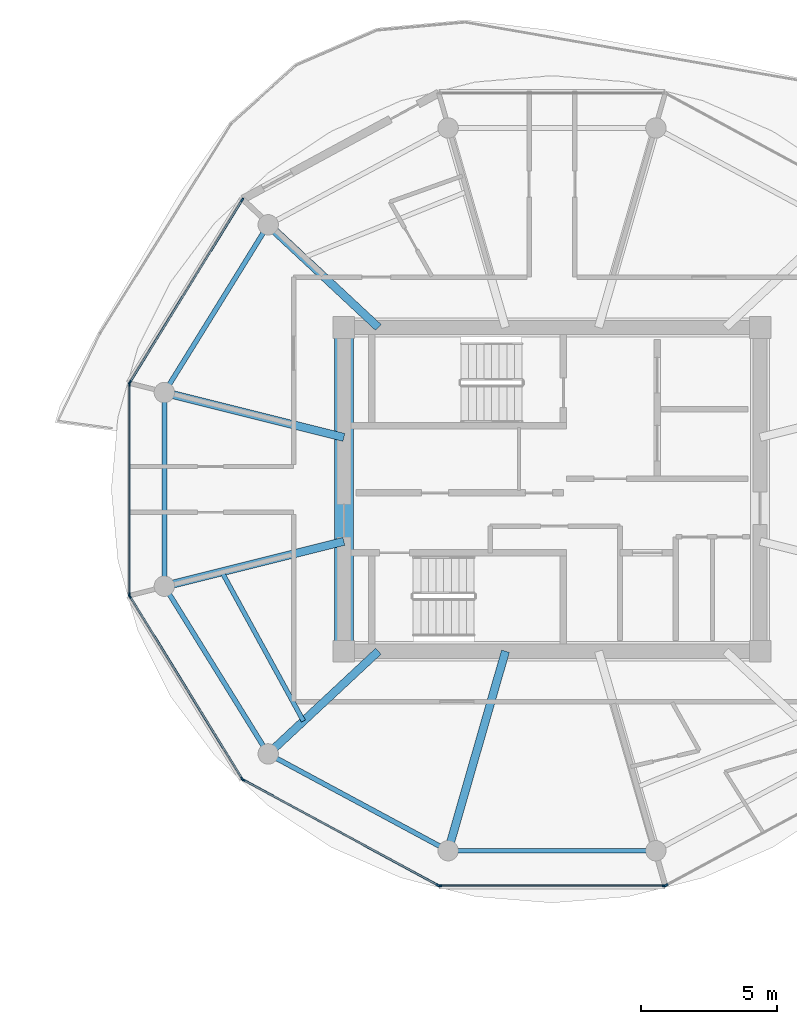
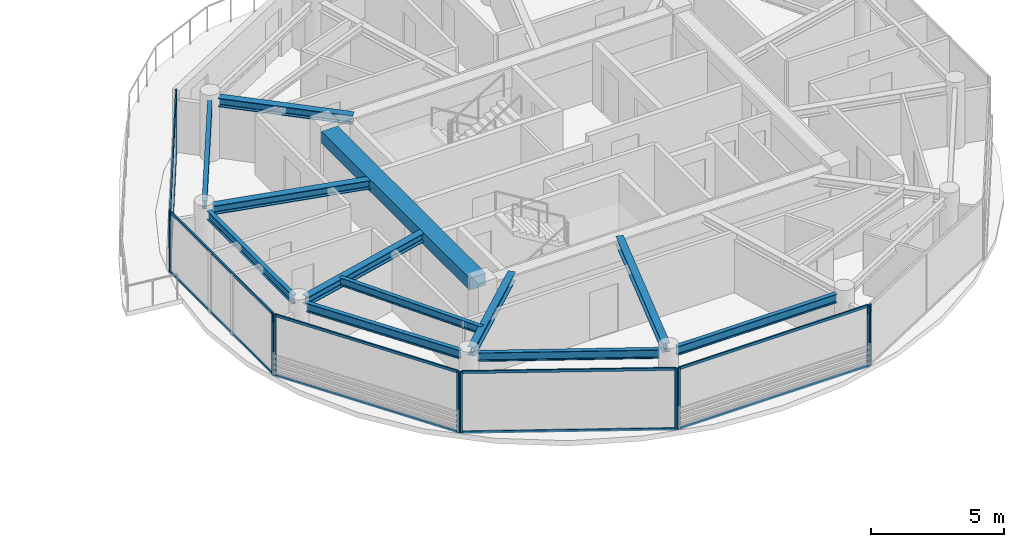
# One storey, part 5 of 19: 21 members, 12 beams, 6 elements without a shape of their own.
"""IFC4 building model written with IfcOpenShell, lengths in metres."""

from ifc_helpers import new_model, si_unit, direction, frame, origin, origin_2d, place, context, subcontext, project, spatial, rectangle, i_section, extrude, source, transform, mapped, material, layer, layer_set, material_profile, profile_set, type_object, type_shapes, element, aggregate, save


model = new_model("IFC4")

# Units and contexts
model_context = context("Model", 3, precision=1e-05, world=origin(), true_north=direction((0.0, 1.0)))
body_context = subcontext(model_context, "Body", "Model", "MODEL_VIEW")
ifc_project = project(units=[si_unit("LENGTHUNIT", "METRE"), si_unit("AREAUNIT", "SQUARE_METRE"), si_unit("VOLUMEUNIT", "CUBIC_METRE"), si_unit("PLANEANGLEUNIT", "RADIAN"), si_unit("MASSUNIT", "GRAM", prefix="KILO")], contexts=[model_context])

# Site, building, storey
site_placement = place(None, origin())
site = spatial("IfcSite", under=ifc_project, at=site_placement, CompositionType="ELEMENT")
building_placement = place(site_placement, origin())
building = spatial("IfcBuilding", under=site, at=building_placement, Name="Norrkilde Senior Care Towers", CompositionType="ELEMENT")
storey_placement = place(building_placement, frame((0.0, 0.0, 238.300048828125)))
storey = spatial("IfcBuildingStorey", under=building, at=storey_placement, Name="L74", CompositionType="ELEMENT", Elevation=238.300048828125)

# Beams
ifc_material_1 = material(Name="Concrete C60/75", Category="concrete")
ifc_material_profile_1 = material_profile(ifc_material_1, rectangle(XDim=0.699951171875, YDim=0.550048828125, at=origin_2d()), Name="RC BM 700x550")
ifc_profile_set_1 = profile_set([ifc_material_profile_1], Name="Concrete C60/75")
beam_type_1 = type_object("IfcBeamType", Name="Core Portal Coupling Beam 700x550", PredefinedType="USERDEFINED", material=ifc_profile_set_1)
shared_shape_1 = source(origin(), body_context, "Body", "SweptSolid", [
    extrude(rectangle(XDim=0.699951171875, YDim=0.550048828125, at=origin_2d()), origin(), (0.0, 0.0, 1.0), 11.14013671875),
])
type_shapes(beam_type_1, [shared_shape_1])
beam_1_placement = place(storey_placement, frame((20.35009765625, -5.570068359375, 2.534912109375), z_axis=(0.0, 1.0, 0.0), x_axis=(-1.0, 0.0, 0.0)))
element("IfcBeam", 1, at=beam_1_placement, inside=storey, type_object=beam_type_1, Name="L74 Core E W Coupling Girder", ObjectType="GIRDER", PredefinedType="USERDEFINED", context=body_context, shape_type="MappedRepresentation", body=[
    mapped(shared_shape_1, transform((0.0, 0.0, 0.0), x_axis=(1.0, 0.0, 0.0), y_axis=(0.0, 1.0, 0.0), z_axis=(0.0, 0.0, 1.0), scale=1.0)),
])
ifc_material_2 = material(Name="Steel S355", Category="steel")
ifc_material_profile_2 = material_profile(ifc_material_2, i_section(OverallWidth=0.179931640625, OverallDepth=0.39990234375, WebThickness=0.008544921875, FlangeThickness=0.013427734375, FilletRadius=0.02099609375, at=origin_2d()), Name="IPE 400")
ifc_profile_set_2 = profile_set([ifc_material_profile_2], Name="Steel S355")
beam_type_2 = type_object("IfcBeamType", Name="Perimeter Ring Spandrel Z4 IPE400", PredefinedType="SPANDREL", material=ifc_profile_set_2)
shared_shape_2 = source(origin(), body_context, "Body", "SweptSolid", [
    extrude(i_section(OverallWidth=0.179931640625, OverallDepth=0.39990234375, WebThickness=0.008544921875, FlangeThickness=0.013427734375, FilletRadius=0.02099609375, at=origin_2d()), origin(), (0.0, 0.0, 1.0), 6.58056640625),
])
for number, where, z_axis, x_axis, name in (
    (2, (17.393798828125, 9.43798828125, 2.60986328125), (-0.526529583789, -0.850156807533, 0.0), (0.850156807533, -0.526529583789, 0.0), "L74 Drum E Perimeter Spandrel 05"),
    (3, (13.928955078125, -3.843505859375, 2.60986328125), (0.526529583789, -0.850156807533, 0.0), (0.850156807533, 0.526529583789, 0.0), "L74 Drum E Perimeter Spandrel 07"),
):
    element("IfcBeam", number, at=place(storey_placement, frame(where, z_axis=z_axis, x_axis=x_axis)), inside=storey, type_object=beam_type_2, Name=name, PredefinedType="SPANDREL", context=body_context, shape_type="MappedRepresentation", body=[
        mapped(shared_shape_2, transform((0.0, 0.0, 0.0), x_axis=(1.0, 0.0, 0.0), y_axis=(0.0, 1.0, 0.0), z_axis=(0.0, 0.0, 1.0), scale=1.0)),
    ])
ifc_material_profile_3 = material_profile(ifc_material_2, i_section(OverallWidth=0.300048828125, OverallDepth=0.39990234375, WebThickness=0.013427734375, FlangeThickness=0.02392578125, FilletRadius=0.027099609375, at=origin_2d()), Name="HEB 400")
ifc_profile_set_3 = profile_set([ifc_material_profile_3], Name="Steel S355")
beam_type_3 = type_object("IfcBeamType", Name="Radial Floor Beam Z4 HEB400", PredefinedType="BEAM", material=ifc_profile_set_3)
shared_shape_3 = source(origin(), body_context, "Body", "SweptSolid", [
    extrude(i_section(OverallWidth=0.300048828125, OverallDepth=0.39990234375, WebThickness=0.013427734375, FlangeThickness=0.02392578125, FilletRadius=0.027099609375, at=origin_2d()), origin(), (0.0, 0.0, 1.0), 6.465087890625),
])
for number, where, z_axis, x_axis, name in (
    (4, (20.35009765625, 1.910888671875, 2.60986328125), (-0.970195788563, 0.242322371758, 0.0), (-0.242322371758, -0.970195788563, 0.0), "L74 Drum E Radial Floor Beam 06"),
    (5, (20.35009765625, -1.910888671875, 2.60986328125), (-0.970195788563, -0.242322371758, 0.0), (0.242322371758, -0.970195788563, 0.0), "L74 Drum E Radial Floor Beam 07"),
):
    element("IfcBeam", number, at=place(storey_placement, frame(where, z_axis=z_axis, x_axis=x_axis)), inside=storey, type_object=beam_type_3, Name=name, PredefinedType="BEAM", context=body_context, shape_type="MappedRepresentation", body=[
        mapped(shared_shape_3, transform((0.0, 0.0, 0.0), x_axis=(1.0, 0.0, 0.0), y_axis=(0.0, 1.0, 0.0), z_axis=(0.0, 0.0, 1.0), scale=1.0)),
    ])
shared_shape_4 = source(origin(), body_context, "Body", "SweptSolid", [
    extrude(i_section(OverallWidth=0.179931640625, OverallDepth=0.39990234375, WebThickness=0.008544921875, FlangeThickness=0.013427734375, FilletRadius=0.02099609375, at=origin_2d()), origin(), (0.0, 0.0, 1.0), 6.839111328125),
])
beam_2_placement = place(storey_placement, frame((17.865234375, -9.881591796875, 2.60986328125), z_axis=(0.880563930732, -0.473927382511, 0.0), x_axis=(0.473927382511, 0.880563930732, 0.0)))
element("IfcBeam", 6, at=beam_2_placement, inside=storey, type_object=beam_type_2, Name="L74 Drum E Perimeter Spandrel 08", PredefinedType="SPANDREL", context=body_context, shape_type="MappedRepresentation", body=[
    mapped(shared_shape_4, transform((0.0, 0.0, 0.0), x_axis=(1.0, 0.0, 0.0), y_axis=(0.0, 1.0, 0.0), z_axis=(0.0, 0.0, 1.0), scale=1.0)),
])
shared_shape_5 = source(origin(), body_context, "Body", "SweptSolid", [
    extrude(i_section(OverallWidth=0.300048828125, OverallDepth=0.39990234375, WebThickness=0.013427734375, FlangeThickness=0.02392578125, FilletRadius=0.027099609375, at=origin_2d()), origin(), (0.0, 0.0, 1.0), 5.197998046875),
])
for number, where, z_axis, x_axis, name in (
    (7, (21.6171875, 5.949951171875, 2.60986328125), (-0.731448749334, 0.681896419625, 0.0), (-0.681896419625, -0.731448749334, 0.0), "L74 Drum E Radial Floor Beam 05"),
    (8, (21.6171875, -5.949951171875, 2.60986328125), (-0.731448749334, -0.681896419625, 0.0), (0.681896419625, -0.731448749334, 0.0), "L74 Drum E Radial Floor Beam 08"),
):
    element("IfcBeam", number, at=place(storey_placement, frame(where, z_axis=z_axis, x_axis=x_axis)), inside=storey, type_object=beam_type_3, Name=name, PredefinedType="BEAM", context=body_context, shape_type="MappedRepresentation", body=[
        mapped(shared_shape_5, transform((0.0, 0.0, 0.0), x_axis=(1.0, 0.0, 0.0), y_axis=(0.0, 1.0, 0.0), z_axis=(0.0, 0.0, 1.0), scale=1.0)),
    ])
shared_shape_6 = source(origin(), body_context, "Body", "SweptSolid", [
    extrude(i_section(OverallWidth=0.179931640625, OverallDepth=0.39990234375, WebThickness=0.008544921875, FlangeThickness=0.013427734375, FilletRadius=0.02099609375, at=origin_2d()), origin(), (0.0, 0.0, 1.0), 6.96533203125),
])
beam_3_placement = place(storey_placement, frame((24.517333984375, -13.281494140625, 2.60986328125), z_axis=(1.0, 0.0, 0.0), x_axis=(0.0, 1.0, 0.0)))
element("IfcBeam", 9, at=beam_3_placement, inside=storey, type_object=beam_type_2, Name="L74 Drum E Perimeter Spandrel 09", PredefinedType="SPANDREL", context=body_context, shape_type="MappedRepresentation", body=[
    mapped(shared_shape_6, transform((0.0, 0.0, 0.0), x_axis=(1.0, 0.0, 0.0), y_axis=(0.0, 1.0, 0.0), z_axis=(0.0, 0.0, 1.0), scale=1.0)),
])
shared_shape_7 = source(origin(), body_context, "Body", "SweptSolid", [
    extrude(i_section(OverallWidth=0.300048828125, OverallDepth=0.39990234375, WebThickness=0.013427734375, FlangeThickness=0.02392578125, FilletRadius=0.027099609375, at=origin_2d()), origin(), (0.0, 0.0, 1.0), 7.29345703125),
])
type_shapes(beam_type_3, [shared_shape_3, shared_shape_5, shared_shape_7])
beam_4_placement = place(storey_placement, frame((26.289794921875, -5.949951171875, 2.60986328125), z_axis=(-0.276263751906, -0.961081858836, 0.0), x_axis=(0.961081858836, -0.276263751906, 0.0)))
element("IfcBeam", 10, at=beam_4_placement, inside=storey, type_object=beam_type_3, Name="L74 Drum E Radial Floor Beam 09", PredefinedType="BEAM", context=body_context, shape_type="MappedRepresentation", body=[
    mapped(shared_shape_7, transform((0.0, 0.0, 0.0), x_axis=(1.0, 0.0, 0.0), y_axis=(0.0, 1.0, 0.0), z_axis=(0.0, 0.0, 1.0), scale=1.0)),
])
shared_shape_8 = source(origin(), body_context, "Body", "SweptSolid", [
    extrude(i_section(OverallWidth=0.179931640625, OverallDepth=0.39990234375, WebThickness=0.008544921875, FlangeThickness=0.013427734375, FilletRadius=0.02099609375, at=origin_2d()), origin(), (0.0, 0.0, 1.0), 6.44775390625),
])
type_shapes(beam_type_2, [shared_shape_2, shared_shape_4, shared_shape_6, shared_shape_8])
beam_5_placement = place(storey_placement, frame((13.752685546875, 3.223876953125, 2.60986328125), z_axis=(0.0, -1.0, 0.0), x_axis=(1.0, 0.0, 0.0)))
element("IfcBeam", 11, at=beam_5_placement, inside=storey, type_object=beam_type_2, Name="L74 Drum E Perimeter Spandrel 06", PredefinedType="SPANDREL", context=body_context, shape_type="MappedRepresentation", body=[
    mapped(shared_shape_8, transform((0.0, 0.0, 0.0), x_axis=(1.0, 0.0, 0.0), y_axis=(0.0, 1.0, 0.0), z_axis=(0.0, 0.0, 1.0), scale=1.0)),
])
ifc_material_profile_4 = material_profile(ifc_material_2, i_section(OverallWidth=0.169921875, OverallDepth=0.360107421875, WebThickness=0.008056640625, FlangeThickness=0.0126953125, FilletRadius=0.01806640625, at=origin_2d()), Name="IPE 360")
ifc_profile_set_4 = profile_set([ifc_material_profile_4], Name="Steel S355")
beam_type_4 = type_object("IfcBeamType", Name="Secondary Floor Joist IPE360", PredefinedType="JOIST", material=ifc_profile_set_4)
shared_shape_9 = source(origin(), body_context, "Body", "SweptSolid", [
    extrude(i_section(OverallWidth=0.169921875, OverallDepth=0.360107421875, WebThickness=0.008056640625, FlangeThickness=0.0126953125, FilletRadius=0.01806640625, at=origin_2d()), origin(), (0.0, 0.0, 1.0), 6.25146484375),
])
type_shapes(beam_type_4, [shared_shape_9])
beam_6_placement = place(storey_placement, frame((15.86376953125, -3.031494140625, 2.6298828125), z_axis=(0.480115752653, -0.877205143655, 0.0), x_axis=(0.877205143655, 0.480115752653, 0.0)))
element("IfcBeam", 12, at=beam_6_placement, inside=storey, type_object=beam_type_4, Name="L74 Drum E Secondary Floor Joist 3", PredefinedType="JOIST", context=body_context, shape_type="MappedRepresentation", body=[
    mapped(shared_shape_9, transform((0.0, 0.0, 0.0), x_axis=(1.0, 0.0, 0.0), y_axis=(0.0, 1.0, 0.0), z_axis=(0.0, 0.0, 1.0), scale=1.0)),
])

# Curtain wall, members
ifc_material_3 = material(Name="Triple Low-E Insulated Glazing", Category="glass")
ifc_layer = layer(ifc_material_3, 0.18505859375)
ifc_layer_set = layer_set([ifc_layer], Name="Triple Low-E Insulated Glazing")
curtain_wall_type = type_object("IfcCurtainWallType", Name="CW6 Zone 4 Crown Pavilion Curtain Wall", PredefinedType="NOTDEFINED", material=ifc_layer_set)
curtain_wall_1_placement = place(storey_placement, origin())
curtain_wall_1 = element("IfcCurtainWall", 13, at=curtain_wall_1_placement, inside=storey, type_object=curtain_wall_type, Name="L74 Drum E Curtain Wall 04", PredefinedType="NOTDEFINED")
ifc_material_4 = material(Name="Anodised Aluminium", Category="aluminium")
ifc_material_profile_5 = material_profile(ifc_material_4, rectangle(XDim=0.06494140625, YDim=0.14990234375, at=origin_2d()), Name="ALU MULL 65x150")
ifc_profile_set_5 = profile_set([ifc_material_profile_5], Name="Anodised Aluminium")
member_type_1 = type_object("IfcMemberType", Name="Curtain Wall Mullion Z3-Z4 65x150", PredefinedType="MULLION", material=ifc_profile_set_5)
shared_shape_10 = source(origin(), body_context, "Body", "SweptSolid", [
    extrude(rectangle(XDim=0.06494140625, YDim=0.14990234375, at=origin_2d()), origin(), (0.0, 0.0, 1.0), 2.81005859375),
])
type_shapes(member_type_1, [shared_shape_10])
member_1_placement = place(storey_placement, frame((12.48486328125, 3.9306640625, 0.0), z_axis=(0.0, 0.0, 1.0), x_axis=(-0.851562727283, 0.524252726748, 0.0)))
member_1 = element("IfcMember", 14, at=member_1_placement, type_object=member_type_1, Name="CW-6 mullion 1", PredefinedType="MULLION", context=body_context, shape_type="MappedRepresentation", body=[
    mapped(shared_shape_10, transform((0.0, 0.0, 0.0), x_axis=(1.0, 0.0, 0.0), y_axis=(0.0, 1.0, 0.0), z_axis=(0.0, 0.0, 1.0), scale=1.0)),
])
member_2_placement = place(storey_placement, frame((16.61279296875, 10.635498046875, 0.0), z_axis=(0.0, 0.0, 1.0), x_axis=(-0.851562727283, 0.524252726748, 0.0)))
member_2 = element("IfcMember", 15, at=member_2_placement, type_object=member_type_1, Name="CW-6 mullion 2", PredefinedType="MULLION", context=body_context, shape_type="MappedRepresentation", body=[
    mapped(shared_shape_10, transform((0.0, 0.0, 0.0), x_axis=(1.0, 0.0, 0.0), y_axis=(0.0, 1.0, 0.0), z_axis=(0.0, 0.0, 1.0), scale=1.0)),
])

curtain_wall_2_placement = place(storey_placement, origin())
curtain_wall_2 = element("IfcCurtainWall", 16, at=curtain_wall_2_placement, inside=storey, type_object=curtain_wall_type, Name="L74 Drum E Curtain Wall 05", PredefinedType="NOTDEFINED")
member_3_placement = place(storey_placement, frame((12.468017578125, -3.87060546875, 0.0), z_axis=(0.0, 0.0, 1.0), x_axis=(-1.0, 0.0, 0.0)))
member_3 = element("IfcMember", 17, at=member_3_placement, type_object=member_type_1, Name="CW-6 mullion 1", PredefinedType="MULLION", context=body_context, shape_type="MappedRepresentation", body=[
    mapped(shared_shape_10, transform((0.0, 0.0, 0.0), x_axis=(1.0, 0.0, 0.0), y_axis=(0.0, 1.0, 0.0), z_axis=(0.0, 0.0, 1.0), scale=1.0)),
])
member_4_placement = place(storey_placement, frame((12.468017578125, 3.87060546875, 0.0), z_axis=(0.0, 0.0, 1.0), x_axis=(-1.0, 0.0, 0.0)))
member_4 = element("IfcMember", 18, at=member_4_placement, type_object=member_type_1, Name="CW-6 mullion 2", PredefinedType="MULLION", context=body_context, shape_type="MappedRepresentation", body=[
    mapped(shared_shape_10, transform((0.0, 0.0, 0.0), x_axis=(1.0, 0.0, 0.0), y_axis=(0.0, 1.0, 0.0), z_axis=(0.0, 0.0, 1.0), scale=1.0)),
])

curtain_wall_3_placement = place(storey_placement, origin())
curtain_wall_3 = element("IfcCurtainWall", 19, at=curtain_wall_3_placement, inside=storey, type_object=curtain_wall_type, Name="L74 Drum E Curtain Wall 06", PredefinedType="NOTDEFINED")
member_5_placement = place(storey_placement, frame((16.61279296875, -10.635498046875, 0.0), z_axis=(0.0, 0.0, 1.0), x_axis=(-0.851562727283, -0.524252726748, 0.0)))
member_5 = element("IfcMember", 20, at=member_5_placement, type_object=member_type_1, Name="CW-6 mullion 1", PredefinedType="MULLION", context=body_context, shape_type="MappedRepresentation", body=[
    mapped(shared_shape_10, transform((0.0, 0.0, 0.0), x_axis=(1.0, 0.0, 0.0), y_axis=(0.0, 1.0, 0.0), z_axis=(0.0, 0.0, 1.0), scale=1.0)),
])
member_6_placement = place(storey_placement, frame((12.48486328125, -3.9306640625, 0.0), z_axis=(0.0, 0.0, 1.0), x_axis=(-0.851562727283, -0.524252726748, 0.0)))
member_6 = element("IfcMember", 21, at=member_6_placement, type_object=member_type_1, Name="CW-6 mullion 2", PredefinedType="MULLION", context=body_context, shape_type="MappedRepresentation", body=[
    mapped(shared_shape_10, transform((0.0, 0.0, 0.0), x_axis=(1.0, 0.0, 0.0), y_axis=(0.0, 1.0, 0.0), z_axis=(0.0, 0.0, 1.0), scale=1.0)),
])

curtain_wall_4_placement = place(storey_placement, origin())
curtain_wall_4 = element("IfcCurtainWall", 22, at=curtain_wall_4_placement, inside=storey, type_object=curtain_wall_type, Name="L74 Drum E Curtain Wall 07", PredefinedType="NOTDEFINED")
member_7_placement = place(storey_placement, frame((23.8095703125, -14.55078125, 0.0), z_axis=(0.0, 0.0, 1.0), x_axis=(-0.476132676136, -0.879373455772, 0.0)))
member_7 = element("IfcMember", 23, at=member_7_placement, type_object=member_type_1, Name="CW-6 mullion 1", PredefinedType="MULLION", context=body_context, shape_type="MappedRepresentation", body=[
    mapped(shared_shape_10, transform((0.0, 0.0, 0.0), x_axis=(1.0, 0.0, 0.0), y_axis=(0.0, 1.0, 0.0), z_axis=(0.0, 0.0, 1.0), scale=1.0)),
])
member_8_placement = place(storey_placement, frame((16.658203125, -10.6787109375, 0.0), z_axis=(0.0, 0.0, 1.0), x_axis=(-0.476132676136, -0.879373455772, 0.0)))
member_8 = element("IfcMember", 24, at=member_8_placement, type_object=member_type_1, Name="CW-6 mullion 2", PredefinedType="MULLION", context=body_context, shape_type="MappedRepresentation", body=[
    mapped(shared_shape_10, transform((0.0, 0.0, 0.0), x_axis=(1.0, 0.0, 0.0), y_axis=(0.0, 1.0, 0.0), z_axis=(0.0, 0.0, 1.0), scale=1.0)),
])

curtain_wall_5_placement = place(storey_placement, origin())
curtain_wall_5 = element("IfcCurtainWall", 25, at=curtain_wall_5_placement, inside=storey, type_object=curtain_wall_type, Name="L74 Drum E Curtain Wall 08", PredefinedType="NOTDEFINED")
member_9_placement = place(storey_placement, frame((32.12939453125, -14.566162109375, 0.0), z_axis=(0.0, 0.0, 1.0), x_axis=(0.0, -1.0, 0.0)))
member_9 = element("IfcMember", 26, at=member_9_placement, type_object=member_type_1, Name="CW-6 mullion 1", PredefinedType="MULLION", context=body_context, shape_type="MappedRepresentation", body=[
    mapped(shared_shape_10, transform((0.0, 0.0, 0.0), x_axis=(1.0, 0.0, 0.0), y_axis=(0.0, 1.0, 0.0), z_axis=(0.0, 0.0, 1.0), scale=1.0)),
])
member_10_placement = place(storey_placement, frame((23.87060546875, -14.566162109375, 0.0), z_axis=(0.0, 0.0, 1.0), x_axis=(0.0, -1.0, 0.0)))
member_10 = element("IfcMember", 27, at=member_10_placement, type_object=member_type_1, Name="CW-6 mullion 2", PredefinedType="MULLION", context=body_context, shape_type="MappedRepresentation", body=[
    mapped(shared_shape_10, transform((0.0, 0.0, 0.0), x_axis=(1.0, 0.0, 0.0), y_axis=(0.0, 1.0, 0.0), z_axis=(0.0, 0.0, 1.0), scale=1.0)),
])

# Curtain wall, member
curtain_wall_6_placement = place(storey_placement, origin())
curtain_wall_6 = element("IfcCurtainWall", 28, at=curtain_wall_6_placement, inside=storey, type_object=curtain_wall_type, Name="L74 Drum E Curtain Wall 09", PredefinedType="NOTDEFINED")
member_11_placement = place(storey_placement, frame((32.1904296875, -14.55078125, 0.0), z_axis=(0.0, 0.0, 1.0), x_axis=(0.476132676136, -0.879373455772, 0.0)))
member_11 = element("IfcMember", 29, at=member_11_placement, type_object=member_type_1, Name="CW-6 mullion 2", PredefinedType="MULLION", context=body_context, shape_type="MappedRepresentation", body=[
    mapped(shared_shape_10, transform((0.0, 0.0, 0.0), x_axis=(1.0, 0.0, 0.0), y_axis=(0.0, 1.0, 0.0), z_axis=(0.0, 0.0, 1.0), scale=1.0)),
])
aggregate(curtain_wall_6, [member_11])

# Member
ifc_material_profile_6 = material_profile(ifc_material_4, rectangle(XDim=0.06005859375, YDim=0.1201171875, at=origin_2d()), Name="ALU TRAN 60x120")
ifc_profile_set_6 = profile_set([ifc_material_profile_6], Name="Anodised Aluminium")
member_type_2 = type_object("IfcMemberType", Name="Curtain Wall Transom Typical 60x120", PredefinedType="USERDEFINED", material=ifc_profile_set_6)
shared_shape_11 = source(origin(), body_context, "Body", "SweptSolid", [
    extrude(rectangle(XDim=0.06005859375, YDim=0.1201171875, at=origin_2d()), origin(), (0.0, 0.0, 1.0), 7.808837890625),
])
member_12_placement = place(storey_placement, frame((12.501953125, 3.958251953125, 0.030029296875), z_axis=(0.524250924101, 0.851563837055, 0.0), x_axis=(-0.851563837055, 0.524250924101, 0.0)))
member_12 = element("IfcMember", 30, at=member_12_placement, type_object=member_type_2, Name="CW-6 transom 1.1", ObjectType="TRANSOM", PredefinedType="USERDEFINED", context=body_context, shape_type="MappedRepresentation", body=[
    mapped(shared_shape_11, transform((0.0, 0.0, 0.0), x_axis=(1.0, 0.0, 0.0), y_axis=(0.0, 1.0, 0.0), z_axis=(0.0, 0.0, 1.0), scale=1.0)),
])

member_13_placement = place(storey_placement, frame((12.501953125, 3.958251953125, 2.780029296875), z_axis=(0.524250924101, 0.851563837055, 0.0), x_axis=(-0.851563837055, 0.524250924101, 0.0)))
member_13 = element("IfcMember", 31, at=member_13_placement, type_object=member_type_2, Name="CW-6 transom 1.2", ObjectType="TRANSOM", PredefinedType="USERDEFINED", context=body_context, shape_type="MappedRepresentation", body=[
    mapped(shared_shape_11, transform((0.0, 0.0, 0.0), x_axis=(1.0, 0.0, 0.0), y_axis=(0.0, 1.0, 0.0), z_axis=(0.0, 0.0, 1.0), scale=1.0)),
])

aggregate(curtain_wall_1, [member_1, member_2, member_12, member_13])

member_14_placement = place(storey_placement, frame((16.595703125, -10.60791015625, 0.030029296875), z_axis=(-0.524250924101, 0.851563837055, 0.0), x_axis=(-0.851563837055, -0.524250924101, 0.0)))
member_14 = element("IfcMember", 32, at=member_14_placement, type_object=member_type_2, Name="CW-6 transom 1.1", ObjectType="TRANSOM", PredefinedType="USERDEFINED", context=body_context, shape_type="MappedRepresentation", body=[
    mapped(shared_shape_11, transform((0.0, 0.0, 0.0), x_axis=(1.0, 0.0, 0.0), y_axis=(0.0, 1.0, 0.0), z_axis=(0.0, 0.0, 1.0), scale=1.0)),
])

member_15_placement = place(storey_placement, frame((16.595703125, -10.60791015625, 2.780029296875), z_axis=(-0.524250924101, 0.851563837055, 0.0), x_axis=(-0.851563837055, -0.524250924101, 0.0)))
member_15 = element("IfcMember", 33, at=member_15_placement, type_object=member_type_2, Name="CW-6 transom 1.2", ObjectType="TRANSOM", PredefinedType="USERDEFINED", context=body_context, shape_type="MappedRepresentation", body=[
    mapped(shared_shape_11, transform((0.0, 0.0, 0.0), x_axis=(1.0, 0.0, 0.0), y_axis=(0.0, 1.0, 0.0), z_axis=(0.0, 0.0, 1.0), scale=1.0)),
])

aggregate(curtain_wall_3, [member_5, member_6, member_14, member_15])

shared_shape_12 = source(origin(), body_context, "Body", "SweptSolid", [
    extrude(rectangle(XDim=0.06005859375, YDim=0.1201171875, at=origin_2d()), origin(), (0.0, 0.0, 1.0), 8.19384765625),
])
member_16_placement = place(storey_placement, frame((32.096923828125, -14.566162109375, 0.030029296875), z_axis=(-1.0, 0.0, 0.0), x_axis=(0.0, -1.0, 0.0)))
member_16 = element("IfcMember", 34, at=member_16_placement, type_object=member_type_2, Name="CW-6 transom 1.1", ObjectType="TRANSOM", PredefinedType="USERDEFINED", context=body_context, shape_type="MappedRepresentation", body=[
    mapped(shared_shape_12, transform((0.0, 0.0, 0.0), x_axis=(1.0, 0.0, 0.0), y_axis=(0.0, 1.0, 0.0), z_axis=(0.0, 0.0, 1.0), scale=1.0)),
])

member_17_placement = place(storey_placement, frame((32.096923828125, -14.566162109375, 2.780029296875), z_axis=(-1.0, 0.0, 0.0), x_axis=(0.0, -1.0, 0.0)))
member_17 = element("IfcMember", 35, at=member_17_placement, type_object=member_type_2, Name="CW-6 transom 1.2", ObjectType="TRANSOM", PredefinedType="USERDEFINED", context=body_context, shape_type="MappedRepresentation", body=[
    mapped(shared_shape_12, transform((0.0, 0.0, 0.0), x_axis=(1.0, 0.0, 0.0), y_axis=(0.0, 1.0, 0.0), z_axis=(0.0, 0.0, 1.0), scale=1.0)),
])

aggregate(curtain_wall_5, [member_9, member_10, member_16, member_17])

shared_shape_13 = source(origin(), body_context, "Body", "SweptSolid", [
    extrude(rectangle(XDim=0.06005859375, YDim=0.1201171875, at=origin_2d()), origin(), (0.0, 0.0, 1.0), 8.0673828125),
])
member_18_placement = place(storey_placement, frame((23.781005859375, -14.53515625, 0.030029296875), z_axis=(-0.87937750072, 0.476125205411, 0.0), x_axis=(-0.476125205411, -0.87937750072, 0.0)))
member_18 = element("IfcMember", 36, at=member_18_placement, type_object=member_type_2, Name="CW-6 transom 1.1", ObjectType="TRANSOM", PredefinedType="USERDEFINED", context=body_context, shape_type="MappedRepresentation", body=[
    mapped(shared_shape_13, transform((0.0, 0.0, 0.0), x_axis=(1.0, 0.0, 0.0), y_axis=(0.0, 1.0, 0.0), z_axis=(0.0, 0.0, 1.0), scale=1.0)),
])

member_19_placement = place(storey_placement, frame((23.781005859375, -14.53515625, 2.780029296875), z_axis=(-0.87937750072, 0.476125205411, 0.0), x_axis=(-0.476125205411, -0.87937750072, 0.0)))
member_19 = element("IfcMember", 37, at=member_19_placement, type_object=member_type_2, Name="CW-6 transom 1.2", ObjectType="TRANSOM", PredefinedType="USERDEFINED", context=body_context, shape_type="MappedRepresentation", body=[
    mapped(shared_shape_13, transform((0.0, 0.0, 0.0), x_axis=(1.0, 0.0, 0.0), y_axis=(0.0, 1.0, 0.0), z_axis=(0.0, 0.0, 1.0), scale=1.0)),
])

aggregate(curtain_wall_4, [member_7, member_8, member_18, member_19])

shared_shape_14 = source(origin(), body_context, "Body", "SweptSolid", [
    extrude(rectangle(XDim=0.06005859375, YDim=0.1201171875, at=origin_2d()), origin(), (0.0, 0.0, 1.0), 7.67578125),
])
type_shapes(member_type_2, [shared_shape_11, shared_shape_12, shared_shape_13, shared_shape_14])
member_20_placement = place(storey_placement, frame((12.468017578125, -3.837890625, 0.030029296875), z_axis=(0.0, 1.0, 0.0), x_axis=(-1.0, 0.0, 0.0)))
member_20 = element("IfcMember", 38, at=member_20_placement, type_object=member_type_2, Name="CW-6 transom 1.1", ObjectType="TRANSOM", PredefinedType="USERDEFINED", context=body_context, shape_type="MappedRepresentation", body=[
    mapped(shared_shape_14, transform((0.0, 0.0, 0.0), x_axis=(1.0, 0.0, 0.0), y_axis=(0.0, 1.0, 0.0), z_axis=(0.0, 0.0, 1.0), scale=1.0)),
])

member_21_placement = place(storey_placement, frame((12.468017578125, -3.837890625, 2.780029296875), z_axis=(0.0, 1.0, 0.0), x_axis=(-1.0, 0.0, 0.0)))
member_21 = element("IfcMember", 39, at=member_21_placement, type_object=member_type_2, Name="CW-6 transom 1.2", ObjectType="TRANSOM", PredefinedType="USERDEFINED", context=body_context, shape_type="MappedRepresentation", body=[
    mapped(shared_shape_14, transform((0.0, 0.0, 0.0), x_axis=(1.0, 0.0, 0.0), y_axis=(0.0, 1.0, 0.0), z_axis=(0.0, 0.0, 1.0), scale=1.0)),
])

aggregate(curtain_wall_2, [member_3, member_4, member_20, member_21])

save(model, "model.ifc")
